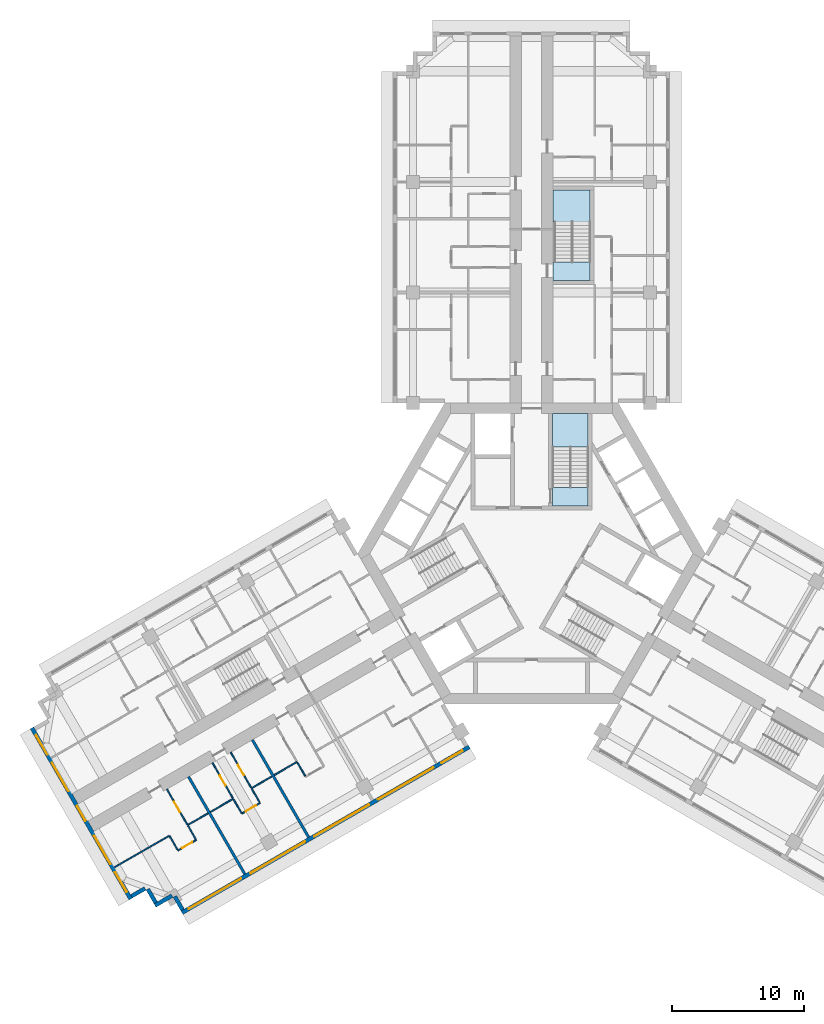
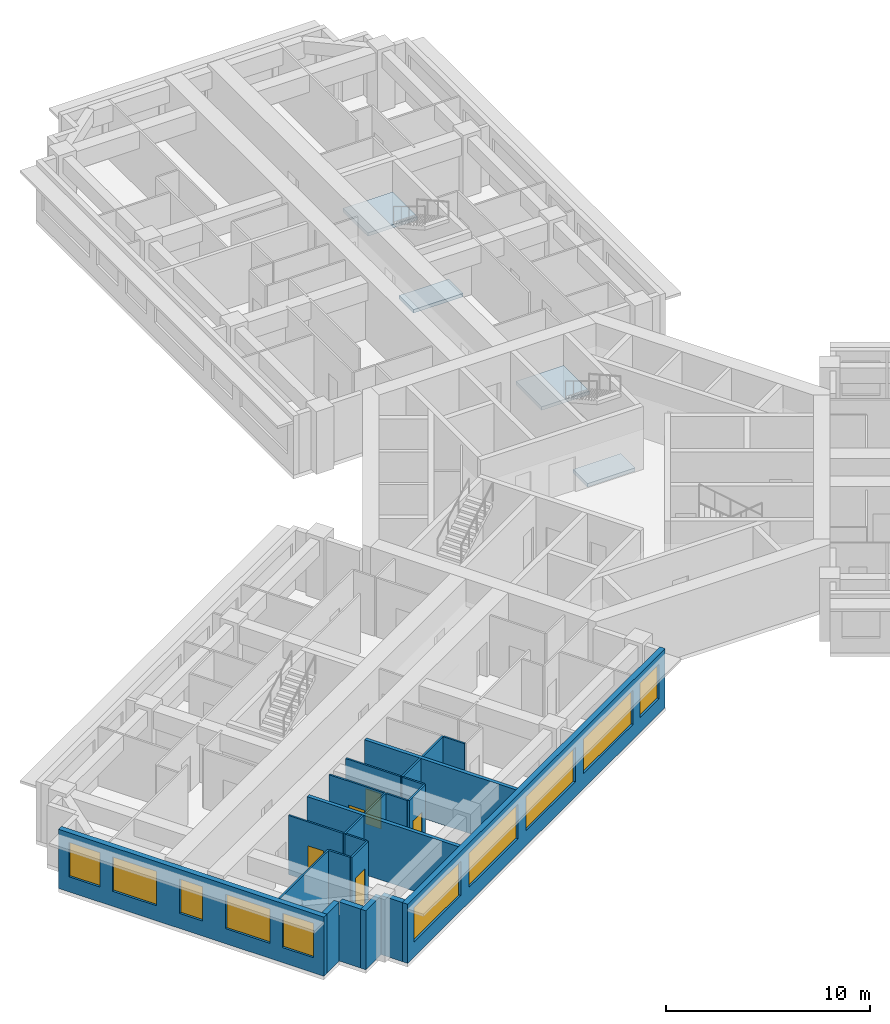
# One storey, part 2 of 13: 23 walls, 10 windows, 5 doors, 4 slabs, 15 openings, 2 elements without a shape of their own.
"""IFC4 building model written with IfcOpenShell, lengths in metres."""

from ifc_helpers import new_model, si_unit, direction, frame, frame_2d, origin, place, context, subcontext, project, spatial, polyline, rectangle, outline, extrude, material, layer, layer_set, type_object, element, fill, aggregate, save


model = new_model("IFC4")

# Units and contexts
model_context = context("Model", 3, precision=1e-05, world=origin(), true_north=direction((0.0, 1.0)))
body_context = subcontext(model_context, "Body", "Model", "MODEL_VIEW")
ifc_project = project(units=[si_unit("LENGTHUNIT", "METRE"), si_unit("AREAUNIT", "SQUARE_METRE"), si_unit("VOLUMEUNIT", "CUBIC_METRE"), si_unit("PLANEANGLEUNIT", "RADIAN"), si_unit("MASSUNIT", "GRAM", prefix="KILO")], contexts=[model_context])

# Site, building, storey
site_placement = place(None, origin())
site = spatial("IfcSite", under=ifc_project, at=site_placement, CompositionType="ELEMENT")
building_placement = place(site_placement, origin())
building = spatial("IfcBuilding", under=site, at=building_placement, Name="Impinga Residences", CompositionType="ELEMENT")
storey_placement = place(building_placement, frame((0.0, 0.0, 136.0)))
storey = spatial("IfcBuildingStorey", under=building, at=storey_placement, Name="L33", CompositionType="ELEMENT", Elevation=136.0)

# Stair, slabs
ifc_material_1 = material(Name="Concrete C40/50", Category="concrete")
stair_type_1 = type_object("IfcStairType", Name="STR core stair 3750 storey, 24 risers", PredefinedType="HALF_TURN_STAIR", material=ifc_material_1)
stair_1_placement = place(storey_placement, origin())
stair_1 = element("IfcStair", 1, at=stair_1_placement, inside=storey, type_object=stair_type_1, Name="Stair ST1 L33", PredefinedType="HALF_TURN_STAIR")
ifc_layer_1 = layer(ifc_material_1, 0.199951171875)
ifc_layer_set_1 = layer_set([ifc_layer_1], Name="Concrete C40/50")
slab_type = type_object("IfcSlabType", Name="LS1 stair landing 200", PredefinedType="LANDING", material=ifc_layer_set_1)
slab_1_placement = place(storey_placement, frame((0.0, 0.0, -0.199951171875)))
slab_1 = element("IfcSlab", 2, at=slab_1_placement, type_object=slab_type, Name="ST1 landing 1", PredefinedType="LANDING", context=body_context, shape_type="SweptSolid", body=[
    extrude(outline(polyline([(1.60009765625, 3.6298828125), (4.300048828125, 3.6298828125), (4.300048828125, 5.0400390625), (1.60009765625, 5.0400390625), (1.60009765625, 3.6298828125)])), origin(), (0.0, 0.0, 1.0), 0.199951171875),
])
slab_2_placement = place(storey_placement, frame((0.0, 0.0, 1.675048828125)))
slab_2 = element("IfcSlab", 3, at=slab_2_placement, type_object=slab_type, Name="ST1 landing 2", PredefinedType="LANDING", context=body_context, shape_type="SweptSolid", body=[
    extrude(outline(polyline([(1.60009765625, 8.10009765625), (4.300048828125, 8.10009765625), (4.300048828125, 10.631591796875), (1.60009765625, 10.631591796875), (1.60009765625, 8.10009765625)])), origin(), (0.0, 0.0, 1.0), 0.199951171875),
])
aggregate(stair_1, [slab_1, slab_2])

stair_type_2 = type_object("IfcStairType", Name="STR wing stair 3750 storey, 24 risers", PredefinedType="HALF_TURN_STAIR", material=ifc_material_1)
stair_2_placement = place(storey_placement, origin())
stair_2 = element("IfcStair", 4, at=stair_2_placement, inside=storey, type_object=stair_type_2, Name="Stair WS1 L33", PredefinedType="HALF_TURN_STAIR")
slab_3_placement = place(storey_placement, frame((0.0, 0.0, -0.199951171875)))
slab_3 = element("IfcSlab", 5, at=slab_3_placement, type_object=slab_type, Name="WS1 landing 1", PredefinedType="LANDING", context=body_context, shape_type="SweptSolid", body=[
    extrude(outline(polyline([(1.64990234375, 20.7314453125), (4.449951171875, 20.7314453125), (4.449951171875, 22.1416015625), (1.64990234375, 22.1416015625), (1.64990234375, 20.7314453125)])), origin(), (0.0, 0.0, 1.0), 0.199951171875),
])
slab_4_placement = place(storey_placement, frame((0.0, 0.0, 1.675048828125)))
slab_4 = element("IfcSlab", 6, at=slab_4_placement, type_object=slab_type, Name="WS1 landing 2", PredefinedType="LANDING", context=body_context, shape_type="SweptSolid", body=[
    extrude(outline(polyline([(1.64990234375, 25.201416015625), (4.449951171875, 25.201416015625), (4.449951171875, 27.631591796875), (1.64990234375, 27.631591796875), (1.64990234375, 25.201416015625)])), origin(), (0.0, 0.0, 1.0), 0.199951171875),
])
aggregate(stair_2, [slab_3, slab_4])

# Wall, openings, windows
ifc_material_2 = material(Name="Terracotta rainscreen on blockwork", Category="masonry")
ifc_layer_2 = layer(ifc_material_2, 0.300048828125)
ifc_layer_set_2 = layer_set([ifc_layer_2], Name="EW1 external wall, terracotta rainscreen on blockwork 300")
wall_type_1 = type_object("IfcWallType", Name="EW1 external wall, terracotta rainscreen on blockwork 300", PredefinedType="SOLIDWALL", material=ifc_layer_set_2)
wall_1_placement = place(storey_placement, frame((-4.72509765625, -14.67919921875, 0.0), z_axis=(0.0, 0.0, 1.0), x_axis=(-0.866026832479, -0.499997525421, 0.0)))
wall_1 = element("IfcWall", 7, at=wall_1_placement, inside=storey, type_object=wall_type_1, Name="External wall EW1 L33", PredefinedType="SOLIDWALL", context=body_context, shape_type="SweptSolid", body=[
    extrude(rectangle(XDim=25.199951171875, YDim=0.300048828125, at=frame_2d((12.60009765625, 0.0))), origin(), (0.0, 0.0, 1.0), 3.530029296875),
])
opening_1_placement = place(wall_1_placement, frame((0.60009765625, 0.0, 0.89990234375)))
opening_1 = element("IfcOpeningElement", 8, at=opening_1_placement, cuts=wall_1, Name="Opening W15", PredefinedType="OPENING", context=body_context, shape_type="SweptSolid", body=[
    extrude(rectangle(XDim=1.85009765625, YDim=2.050048828125, at=frame_2d((0.925048828125, 1.02490234375))), frame((0.0, 0.159912109375, 0.0), z_axis=(0.0, -1.0, 0.0), x_axis=(1.0, 0.0, 0.0)), (0.0, 0.0, 1.0), 0.320068359375),
])
opening_2_placement = place(wall_1_placement, frame((3.14990234375, 0.0, 0.89990234375)))
opening_2 = element("IfcOpeningElement", 9, at=opening_2_placement, cuts=wall_1, Name="Opening W6", PredefinedType="OPENING", context=body_context, shape_type="SweptSolid", body=[
    extrude(rectangle(XDim=4.85009765625, YDim=2.050048828125, at=frame_2d((2.425048828125, 1.02490234375))), frame((0.0, 0.159912109375, 0.0), z_axis=(0.0, -1.0, 0.0), x_axis=(1.0, 0.0, 0.0)), (0.0, 0.0, 1.0), 0.320068359375),
])
opening_3_placement = place(wall_1_placement, frame((8.800048828125, 0.0, 0.89990234375)))
opening_3 = element("IfcOpeningElement", 10, at=opening_3_placement, cuts=wall_1, Name="Opening W8", PredefinedType="OPENING", context=body_context, shape_type="SweptSolid", body=[
    extrude(rectangle(XDim=4.800048828125, YDim=2.050048828125, at=frame_2d((2.39990234375, 1.02490234375))), frame((0.0, 0.159912109375, 0.0), z_axis=(0.0, -1.0, 0.0), x_axis=(1.0, 0.0, 0.0)), (0.0, 0.0, 1.0), 0.320068359375),
])
opening_4_placement = place(wall_1_placement, frame((14.39990234375, 0.0, 0.89990234375)))
opening_4 = element("IfcOpeningElement", 11, at=opening_4_placement, cuts=wall_1, Name="Opening W8", PredefinedType="OPENING", context=body_context, shape_type="SweptSolid", body=[
    extrude(rectangle(XDim=4.800048828125, YDim=2.050048828125, at=frame_2d((2.39990234375, 1.02490234375))), frame((0.0, 0.159912109375, 0.0), z_axis=(0.0, -1.0, 0.0), x_axis=(1.0, 0.0, 0.0)), (0.0, 0.0, 1.0), 0.320068359375),
])
opening_5_placement = place(wall_1_placement, frame((20.0, 0.0, 0.89990234375)))
opening_5 = element("IfcOpeningElement", 12, at=opening_5_placement, cuts=wall_1, Name="Opening W3", PredefinedType="OPENING", context=body_context, shape_type="SweptSolid", body=[
    extrude(rectangle(XDim=4.60009765625, YDim=2.050048828125, at=frame_2d((2.300048828125, 1.02490234375))), frame((0.0, 0.159912109375, 0.0), z_axis=(0.0, -1.0, 0.0), x_axis=(1.0, 0.0, 0.0)), (0.0, 0.0, 1.0), 0.320068359375),
])
ifc_material_3 = material(Name="Aluminium window, clear double glazing", Category="aluminium")
window_type_1 = type_object("IfcWindowType", Name="W15 ribbon window 1850x2050", PartitioningType="SINGLE_PANEL", PredefinedType="WINDOW", material=ifc_material_3)
window_1_placement = place(opening_1_placement, origin())
window_1 = element("IfcWindow", 13, at=window_1_placement, inside=storey, type_object=window_type_1, Name="Window L33", OverallHeight=2.050048828125, OverallWidth=1.85009765625, PartitioningType="SINGLE_PANEL", PredefinedType="WINDOW", context=body_context, shape_type="SweptSolid", body=[
    extrude(rectangle(XDim=1.85009765625, YDim=2.050048828125, at=frame_2d((0.925048828125, 1.02490234375))), frame((0.0, 0.030029296875, 0.0), z_axis=(0.0, -1.0, 0.0), x_axis=(1.0, 0.0, 0.0)), (0.0, 0.0, 1.0), 0.06005859375),
])
fill(opening_1, window_1)
window_type_2 = type_object("IfcWindowType", Name="W3 ribbon window 4600x2050", PartitioningType="SINGLE_PANEL", PredefinedType="WINDOW", material=ifc_material_3)
window_2_placement = place(opening_5_placement, origin())
window_2 = element("IfcWindow", 14, at=window_2_placement, inside=storey, type_object=window_type_2, Name="Window L33", OverallHeight=2.050048828125, OverallWidth=4.60009765625, PartitioningType="SINGLE_PANEL", PredefinedType="WINDOW", context=body_context, shape_type="SweptSolid", body=[
    extrude(rectangle(XDim=4.60009765625, YDim=2.050048828125, at=frame_2d((2.300048828125, 1.02490234375))), frame((0.0, 0.030029296875, 0.0), z_axis=(0.0, -1.0, 0.0), x_axis=(1.0, 0.0, 0.0)), (0.0, 0.0, 1.0), 0.06005859375),
])
fill(opening_5, window_2)
window_type_3 = type_object("IfcWindowType", Name="W6 ribbon window 4850x2050", PartitioningType="SINGLE_PANEL", PredefinedType="WINDOW", material=ifc_material_3)
window_3_placement = place(opening_2_placement, origin())
window_3 = element("IfcWindow", 15, at=window_3_placement, inside=storey, type_object=window_type_3, Name="Window L33", OverallHeight=2.050048828125, OverallWidth=4.85009765625, PartitioningType="SINGLE_PANEL", PredefinedType="WINDOW", context=body_context, shape_type="SweptSolid", body=[
    extrude(rectangle(XDim=4.85009765625, YDim=2.050048828125, at=frame_2d((2.425048828125, 1.02490234375))), frame((0.0, 0.030029296875, 0.0), z_axis=(0.0, -1.0, 0.0), x_axis=(1.0, 0.0, 0.0)), (0.0, 0.0, 1.0), 0.06005859375),
])
fill(opening_2, window_3)
window_type_4 = type_object("IfcWindowType", Name="W8 ribbon window 4800x2050", PartitioningType="SINGLE_PANEL", PredefinedType="WINDOW", material=ifc_material_3)
window_4_placement = place(opening_3_placement, origin())
window_4 = element("IfcWindow", 16, at=window_4_placement, inside=storey, type_object=window_type_4, Name="Window L33", OverallHeight=2.050048828125, OverallWidth=4.800048828125, PartitioningType="SINGLE_PANEL", PredefinedType="WINDOW", context=body_context, shape_type="SweptSolid", body=[
    extrude(rectangle(XDim=4.800048828125, YDim=2.050048828125, at=frame_2d((2.39990234375, 1.02490234375))), frame((0.0, 0.030029296875, 0.0), z_axis=(0.0, -1.0, 0.0), x_axis=(1.0, 0.0, 0.0)), (0.0, 0.0, 1.0), 0.06005859375),
])
fill(opening_3, window_4)
window_5_placement = place(opening_4_placement, origin())
window_5 = element("IfcWindow", 17, at=window_5_placement, inside=storey, type_object=window_type_4, Name="Window L33", OverallHeight=2.050048828125, OverallWidth=4.800048828125, PartitioningType="SINGLE_PANEL", PredefinedType="WINDOW", context=body_context, shape_type="SweptSolid", body=[
    extrude(rectangle(XDim=4.800048828125, YDim=2.050048828125, at=frame_2d((2.39990234375, 1.02490234375))), frame((0.0, 0.030029296875, 0.0), z_axis=(0.0, -1.0, 0.0), x_axis=(1.0, 0.0, 0.0)), (0.0, 0.0, 1.0), 0.06005859375),
])
fill(opening_4, window_5)

# Walls
wall_2_placement = place(storey_placement, frame((-26.493896484375, -27.07421875, 0.0), z_axis=(0.0, 0.0, 1.0), x_axis=(-0.500033551112, 0.866006032174, 0.0)))
element("IfcWall", 18, at=wall_2_placement, inside=storey, type_object=wall_type_1, Name="External wall EW1 L33", PredefinedType="SOLIDWALL", context=body_context, shape_type="SweptSolid", body=[
    extrude(rectangle(XDim=1.2001953125, YDim=0.300048828125, at=frame_2d((0.60009765625, 0.0))), origin(), (0.0, 0.0, 1.0), 3.530029296875),
])
wall_3_placement = place(storey_placement, frame((-27.30322265625, -25.982666015625, 0.0), z_axis=(0.0, 0.0, 1.0), x_axis=(-0.866074087889, -0.499915667175, 0.0)))
element("IfcWall", 19, at=wall_3_placement, inside=storey, type_object=wall_type_1, Name="External wall EW1 L33", PredefinedType="SOLIDWALL", context=body_context, shape_type="SweptSolid", body=[
    extrude(rectangle(XDim=1.494873046875, YDim=0.300048828125, at=frame_2d((0.74755859375, 0.0))), origin(), (0.0, 0.0, 1.0), 3.530029296875),
])
wall_4_placement = place(storey_placement, frame((-28.54296875, -26.525146484375, 0.0), z_axis=(0.0, 0.0, 1.0), x_axis=(-0.500033551112, 0.866006032174, 0.0)))
element("IfcWall", 20, at=wall_4_placement, inside=storey, type_object=wall_type_1, Name="External wall EW1 L33", PredefinedType="SOLIDWALL", context=body_context, shape_type="SweptSolid", body=[
    extrude(rectangle(XDim=1.2001953125, YDim=0.300048828125, at=frame_2d((0.60009765625, 0.0))), origin(), (0.0, 0.0, 1.0), 3.530029296875),
])
wall_5_placement = place(storey_placement, frame((-29.352294921875, -25.43359375, 0.0), z_axis=(0.0, 0.0, 1.0), x_axis=(-0.866059708757, -0.499940577336, 0.0)))
element("IfcWall", 21, at=wall_5_placement, inside=storey, type_object=wall_type_1, Name="External wall EW1 L33", PredefinedType="SOLIDWALL", context=body_context, shape_type="SweptSolid", body=[
    extrude(rectangle(XDim=1.195068359375, YDim=0.300048828125, at=frame_2d((0.59765625, 0.0))), origin(), (0.0, 0.0, 1.0), 3.530029296875),
])

# Wall, openings, windows
wall_6_placement = place(storey_placement, frame((-30.44189453125, -26.23583984375, 0.0), z_axis=(0.0, 0.0, 1.0), x_axis=(-0.500004234368, 0.866022959057, 0.0)))
wall_6 = element("IfcWall", 22, at=wall_6_placement, inside=storey, type_object=wall_type_1, Name="External wall EW1 L33", PredefinedType="SOLIDWALL", context=body_context, shape_type="SweptSolid", body=[
    extrude(rectangle(XDim=14.999755859375, YDim=0.300048828125, at=frame_2d((7.5, 0.0))), origin(), (0.0, 0.0, 1.0), 3.530029296875),
])
opening_6_placement = place(wall_6_placement, frame((0.60009765625, 0.0, 0.89990234375)))
opening_6 = element("IfcOpeningElement", 23, at=opening_6_placement, cuts=wall_6, Name="Opening W1", PredefinedType="OPENING", context=body_context, shape_type="SweptSolid", body=[
    extrude(rectangle(XDim=1.75, YDim=2.050048828125, at=frame_2d((0.875, 1.02490234375))), frame((0.0, 0.159912109375, 0.0), z_axis=(0.0, -1.0, 0.0), x_axis=(1.0, 0.0, 0.0)), (0.0, 0.0, 1.0), 0.320068359375),
])
opening_7_placement = place(wall_6_placement, frame((3.050048828125, 0.0, 0.89990234375)))
opening_7 = element("IfcOpeningElement", 24, at=opening_7_placement, cuts=wall_6, Name="Opening W2", PredefinedType="OPENING", context=body_context, shape_type="SweptSolid", body=[
    extrude(rectangle(XDim=2.5, YDim=2.050048828125, at=frame_2d((1.25, 1.02490234375))), frame((0.0, 0.159912109375, 0.0), z_axis=(0.0, -1.0, 0.0), x_axis=(1.0, 0.0, 0.0)), (0.0, 0.0, 1.0), 0.320068359375),
])
opening_8_placement = place(wall_6_placement, frame((6.85009765625, 0.0, 0.89990234375)))
opening_8 = element("IfcOpeningElement", 25, at=opening_8_placement, cuts=wall_6, Name="Opening WE1", PredefinedType="OPENING", context=body_context, shape_type="SweptSolid", body=[
    extrude(rectangle(XDim=1.300048828125, YDim=2.050048828125, at=frame_2d((0.64990234375, 1.02490234375))), frame((0.0, 0.159912109375, 0.0), z_axis=(0.0, -1.0, 0.0), x_axis=(1.0, 0.0, 0.0)), (0.0, 0.0, 1.0), 0.320068359375),
])
opening_9_placement = place(wall_6_placement, frame((9.449951171875, 0.0, 0.89990234375)))
opening_9 = element("IfcOpeningElement", 26, at=opening_9_placement, cuts=wall_6, Name="Opening W2", PredefinedType="OPENING", context=body_context, shape_type="SweptSolid", body=[
    extrude(rectangle(XDim=2.5, YDim=2.050048828125, at=frame_2d((1.25, 1.02490234375))), frame((0.0, 0.159912109375, 0.0), z_axis=(0.0, -1.0, 0.0), x_axis=(1.0, 0.0, 0.0)), (0.0, 0.0, 1.0), 0.320068359375),
])
opening_10_placement = place(wall_6_placement, frame((12.64990234375, 0.0, 0.89990234375)))
opening_10 = element("IfcOpeningElement", 27, at=opening_10_placement, cuts=wall_6, Name="Opening W1", PredefinedType="OPENING", context=body_context, shape_type="SweptSolid", body=[
    extrude(rectangle(XDim=1.75, YDim=2.050048828125, at=frame_2d((0.875, 1.02490234375))), frame((0.0, 0.159912109375, 0.0), z_axis=(0.0, -1.0, 0.0), x_axis=(1.0, 0.0, 0.0)), (0.0, 0.0, 1.0), 0.320068359375),
])
window_type_5 = type_object("IfcWindowType", Name="W1 ribbon window 1750x2050", PartitioningType="SINGLE_PANEL", PredefinedType="WINDOW", material=ifc_material_3)
window_6_placement = place(opening_6_placement, origin())
window_6 = element("IfcWindow", 28, at=window_6_placement, inside=storey, type_object=window_type_5, Name="Window L33", OverallHeight=2.050048828125, OverallWidth=1.75, PartitioningType="SINGLE_PANEL", PredefinedType="WINDOW", context=body_context, shape_type="SweptSolid", body=[
    extrude(rectangle(XDim=1.75, YDim=2.050048828125, at=frame_2d((0.875, 1.02490234375))), frame((0.0, 0.030029296875, 0.0), z_axis=(0.0, -1.0, 0.0), x_axis=(1.0, 0.0, 0.0)), (0.0, 0.0, 1.0), 0.06005859375),
])
fill(opening_6, window_6)
window_7_placement = place(opening_10_placement, origin())
window_7 = element("IfcWindow", 29, at=window_7_placement, inside=storey, type_object=window_type_5, Name="Window L33", OverallHeight=2.050048828125, OverallWidth=1.75, PartitioningType="SINGLE_PANEL", PredefinedType="WINDOW", context=body_context, shape_type="SweptSolid", body=[
    extrude(rectangle(XDim=1.75, YDim=2.050048828125, at=frame_2d((0.875, 1.02490234375))), frame((0.0, 0.030029296875, 0.0), z_axis=(0.0, -1.0, 0.0), x_axis=(1.0, 0.0, 0.0)), (0.0, 0.0, 1.0), 0.06005859375),
])
fill(opening_10, window_7)
window_type_6 = type_object("IfcWindowType", Name="W2 ribbon window 2500x2050", PartitioningType="SINGLE_PANEL", PredefinedType="WINDOW", material=ifc_material_3)
window_8_placement = place(opening_7_placement, origin())
window_8 = element("IfcWindow", 30, at=window_8_placement, inside=storey, type_object=window_type_6, Name="Window L33", OverallHeight=2.050048828125, OverallWidth=2.5, PartitioningType="SINGLE_PANEL", PredefinedType="WINDOW", context=body_context, shape_type="SweptSolid", body=[
    extrude(rectangle(XDim=2.5, YDim=2.050048828125, at=frame_2d((1.25, 1.02490234375))), frame((0.0, 0.030029296875, 0.0), z_axis=(0.0, -1.0, 0.0), x_axis=(1.0, 0.0, 0.0)), (0.0, 0.0, 1.0), 0.06005859375),
])
fill(opening_7, window_8)
window_9_placement = place(opening_9_placement, origin())
window_9 = element("IfcWindow", 31, at=window_9_placement, inside=storey, type_object=window_type_6, Name="Window L33", OverallHeight=2.050048828125, OverallWidth=2.5, PartitioningType="SINGLE_PANEL", PredefinedType="WINDOW", context=body_context, shape_type="SweptSolid", body=[
    extrude(rectangle(XDim=2.5, YDim=2.050048828125, at=frame_2d((1.25, 1.02490234375))), frame((0.0, 0.030029296875, 0.0), z_axis=(0.0, -1.0, 0.0), x_axis=(1.0, 0.0, 0.0)), (0.0, 0.0, 1.0), 0.06005859375),
])
fill(opening_9, window_9)
window_type_7 = type_object("IfcWindowType", Name="WE1 corridor window 1300x2050", PartitioningType="SINGLE_PANEL", PredefinedType="WINDOW", material=ifc_material_3)
window_10_placement = place(opening_8_placement, origin())
window_10 = element("IfcWindow", 32, at=window_10_placement, inside=storey, type_object=window_type_7, Name="Window L33", OverallHeight=2.050048828125, OverallWidth=1.300048828125, PartitioningType="SINGLE_PANEL", PredefinedType="WINDOW", context=body_context, shape_type="SweptSolid", body=[
    extrude(rectangle(XDim=1.300048828125, YDim=2.050048828125, at=frame_2d((0.64990234375, 1.02490234375))), frame((0.0, 0.030029296875, 0.0), z_axis=(0.0, -1.0, 0.0), x_axis=(1.0, 0.0, 0.0)), (0.0, 0.0, 1.0), 0.06005859375),
])
fill(opening_8, window_10)

# Walls
ifc_material_4 = material(Name="Gypsum board on steel studs", Category="steel")
ifc_layer_3 = layer(ifc_material_4, 0.10009765625)
ifc_layer_set_3 = layer_set([ifc_layer_3], Name="Gypsum board on steel studs")
wall_type_2 = type_object("IfcWallType", Name="IP1 partition 100", PredefinedType="PARTITIONING", material=ifc_layer_set_3)
wall_7_placement = place(storey_placement, frame((-17.8056640625, -15.82275390625, 0.0), z_axis=(0.0, 0.0, 1.0), x_axis=(-0.866041268327, -0.499972520799, 0.0)))
element("IfcWall", 33, at=wall_7_placement, inside=storey, type_object=wall_type_2, Name="Partition L33-WA2:DIV1", PredefinedType="PARTITIONING", context=body_context, shape_type="SweptSolid", body=[
    extrude(rectangle(XDim=2.0, YDim=0.10009765625, at=frame_2d((1.0, 0.0))), origin(), (0.0, 0.0, 1.0), 3.530029296875),
])
wall_8_placement = place(storey_placement, frame((-17.78076171875, -15.865966796875, 0.0), z_axis=(0.0, 0.0, 1.0), x_axis=(0.500033551112, -0.866006032174, 0.0)))
element("IfcWall", 34, at=wall_8_placement, inside=storey, type_object=wall_type_2, Name="Partition L33-WA2:SE1", PredefinedType="PARTITIONING", context=body_context, shape_type="SweptSolid", body=[
    extrude(rectangle(XDim=1.2001953125, YDim=0.10009765625, at=frame_2d((0.60009765625, 0.0))), origin(), (0.0, 0.0, 1.0), 3.530029296875),
])
wall_9_placement = place(storey_placement, frame((-19.7109375, -16.922607421875, 0.0), z_axis=(0.0, 0.0, 1.0), x_axis=(-0.865989075817, -0.500062916607, 0.0)))
element("IfcWall", 35, at=wall_9_placement, inside=storey, type_object=wall_type_2, Name="Partition L33-WA3:DIV0", PredefinedType="PARTITIONING", context=body_context, shape_type="SweptSolid", body=[
    extrude(rectangle(XDim=1.800048828125, YDim=0.10009765625, at=frame_2d((0.89990234375, 0.0))), origin(), (0.0, 0.0, 1.0), 3.530029296875),
])
wall_10_placement = place(storey_placement, frame((-22.655517578125, -18.622802734375, 0.0), z_axis=(0.0, 0.0, 1.0), x_axis=(-0.866010750942, -0.50002537861, 0.0)))
element("IfcWall", 36, at=wall_10_placement, inside=storey, type_object=wall_type_2, Name="Partition L33-WA3:DIV1", PredefinedType="PARTITIONING", context=body_context, shape_type="SweptSolid", body=[
    extrude(rectangle(XDim=2.0, YDim=0.10009765625, at=frame_2d((1.0, 0.0))), origin(), (0.0, 0.0, 1.0), 3.530029296875),
])

# Wall, opening, door
wall_11_placement = place(storey_placement, frame((-20.619873046875, -18.948486328125, 0.0), z_axis=(0.0, 0.0, 1.0), x_axis=(-0.865989903783, -0.500061482766, 0.0)))
wall_11 = element("IfcWall", 37, at=wall_11_placement, inside=storey, type_object=wall_type_2, Name="Partition L33-WA3:STRIP", PredefinedType="PARTITIONING", context=body_context, shape_type="SweptSolid", body=[
    extrude(rectangle(XDim=1.599853515625, YDim=0.10009765625, at=frame_2d((0.7998046875, 0.0))), origin(), (0.0, 0.0, 1.0), 3.530029296875),
])
opening_11_placement = place(wall_11_placement, frame((0.35009765625, 0.0, 0.0)))
opening_11 = element("IfcOpeningElement", 38, at=opening_11_placement, cuts=wall_11, Name="Opening D2", PredefinedType="OPENING", context=body_context, shape_type="SweptSolid", body=[
    extrude(rectangle(XDim=0.89990234375, YDim=2.10009765625, at=frame_2d((0.449951171875, 1.050048828125))), frame((0.0, 0.06005859375, 0.0), z_axis=(0.0, -1.0, 0.0), x_axis=(1.0, 0.0, 0.0)), (0.0, 0.0, 1.0), 0.1201171875),
])
ifc_material_5 = material(Name="Timber door set", Category="wood")
door_type = type_object("IfcDoorType", Name="D2 internal door 900x2100", OperationType="SINGLE_SWING_LEFT", PredefinedType="DOOR", material=ifc_material_5)
door_1_placement = place(opening_11_placement, origin())
door_1 = element("IfcDoor", 39, at=door_1_placement, inside=storey, type_object=door_type, Name="Apartment L33-WA3 room door", OperationType="SINGLE_SWING_LEFT", OverallHeight=2.10009765625, OverallWidth=0.89990234375, PredefinedType="DOOR", context=body_context, shape_type="SweptSolid", body=[
    extrude(rectangle(XDim=0.89990234375, YDim=2.10009765625, at=frame_2d((0.449951171875, 1.050048828125))), frame((0.0, 0.02490234375, 0.0), z_axis=(0.0, -1.0, 0.0), x_axis=(1.0, 0.0, 0.0)), (0.0, 0.0, 1.0), 0.050048828125),
])
fill(opening_11, door_1)

# Walls
wall_12_placement = place(storey_placement, frame((-21.244873046875, -17.865966796875, 0.0), z_axis=(0.0, 0.0, 1.0), x_axis=(0.500033551112, -0.866006032174, 0.0)))
element("IfcWall", 40, at=wall_12_placement, inside=storey, type_object=wall_type_2, Name="Partition L33-WA3:SE0", PredefinedType="PARTITIONING", context=body_context, shape_type="SweptSolid", body=[
    extrude(rectangle(XDim=1.2001953125, YDim=0.10009765625, at=frame_2d((0.60009765625, 0.0))), origin(), (0.0, 0.0, 1.0), 3.530029296875),
])
wall_13_placement = place(storey_placement, frame((-22.63037109375, -18.666015625, 0.0), z_axis=(0.0, 0.0, 1.0), x_axis=(0.499880961361, -0.866094119867, 0.0)))
element("IfcWall", 41, at=wall_13_placement, inside=storey, type_object=wall_type_2, Name="Partition L33-WA3:SE1", PredefinedType="PARTITIONING", context=body_context, shape_type="SweptSolid", body=[
    extrude(rectangle(XDim=1.199951171875, YDim=0.10009765625, at=frame_2d((0.60009765625, 0.0))), origin(), (0.0, 0.0, 1.0), 3.530029296875),
])

# Wall, opening, door
wall_14_placement = place(storey_placement, frame((-22.8447265625, -15.0947265625, 0.0), z_axis=(0.0, 0.0, 1.0), x_axis=(0.499967891604, -0.866043940782, 0.0)))
wall_14 = element("IfcWall", 42, at=wall_14_placement, inside=storey, type_object=wall_type_2, Name="Partition L33-WA3:IB1", PredefinedType="PARTITIONING", context=body_context, shape_type="SweptSolid", body=[
    extrude(rectangle(XDim=3.099853515625, YDim=0.10009765625, at=frame_2d((1.5498046875, 0.0))), origin(), (0.0, 0.0, 1.0), 3.530029296875),
])
opening_12_placement = place(wall_14_placement, frame((1.10009765625, 0.0, 0.0)))
opening_12 = element("IfcOpeningElement", 43, at=opening_12_placement, cuts=wall_14, Name="Opening D2", PredefinedType="OPENING", context=body_context, shape_type="SweptSolid", body=[
    extrude(rectangle(XDim=0.89990234375, YDim=2.10009765625, at=frame_2d((0.449951171875, 1.050048828125))), frame((0.0, 0.06005859375, 0.0), z_axis=(0.0, -1.0, 0.0), x_axis=(1.0, 0.0, 0.0)), (0.0, 0.0, 1.0), 0.1201171875),
])
door_2_placement = place(opening_12_placement, origin())
door_2 = element("IfcDoor", 44, at=door_2_placement, inside=storey, type_object=door_type, Name="Apartment L33-WA3 bathroom door", OperationType="SINGLE_SWING_LEFT", OverallHeight=2.10009765625, OverallWidth=0.89990234375, PredefinedType="DOOR", context=body_context, shape_type="SweptSolid", body=[
    extrude(rectangle(XDim=0.89990234375, YDim=2.10009765625, at=frame_2d((0.449951171875, 1.050048828125))), frame((0.0, 0.02490234375, 0.0), z_axis=(0.0, -1.0, 0.0), x_axis=(1.0, 0.0, 0.0)), (0.0, 0.0, 1.0), 0.050048828125),
])
fill(opening_12, door_2)

wall_15_placement = place(storey_placement, frame((-24.23046875, -15.894775390625, 0.0), z_axis=(0.0, 0.0, 1.0), x_axis=(0.500026960575, -0.86600983753, 0.0)))
wall_15 = element("IfcWall", 45, at=wall_15_placement, inside=storey, type_object=wall_type_2, Name="Partition L33-WA3:IB2", PredefinedType="PARTITIONING", context=body_context, shape_type="SweptSolid", body=[
    extrude(rectangle(XDim=3.099853515625, YDim=0.10009765625, at=frame_2d((1.5498046875, 0.0))), origin(), (0.0, 0.0, 1.0), 3.530029296875),
])
opening_13_placement = place(wall_15_placement, frame((1.10009765625, 0.0, 0.0)))
opening_13 = element("IfcOpeningElement", 46, at=opening_13_placement, cuts=wall_15, Name="Opening D2", PredefinedType="OPENING", context=body_context, shape_type="SweptSolid", body=[
    extrude(rectangle(XDim=0.89990234375, YDim=2.10009765625, at=frame_2d((0.449951171875, 1.050048828125))), frame((0.0, 0.06005859375, 0.0), z_axis=(0.0, -1.0, 0.0), x_axis=(1.0, 0.0, 0.0)), (0.0, 0.0, 1.0), 0.1201171875),
])
door_3_placement = place(opening_13_placement, origin())
door_3 = element("IfcDoor", 47, at=door_3_placement, inside=storey, type_object=door_type, Name="Apartment L33-WA3 WC door", OperationType="SINGLE_SWING_LEFT", OverallHeight=2.10009765625, OverallWidth=0.89990234375, PredefinedType="DOOR", context=body_context, shape_type="SweptSolid", body=[
    extrude(rectangle(XDim=0.89990234375, YDim=2.10009765625, at=frame_2d((0.449951171875, 1.050048828125))), frame((0.0, 0.02490234375, 0.0), z_axis=(0.0, -1.0, 0.0), x_axis=(1.0, 0.0, 0.0)), (0.0, 0.0, 1.0), 0.050048828125),
])
fill(opening_13, door_3)

# Walls
wall_16_placement = place(storey_placement, frame((-24.560791015625, -19.72265625, 0.0), z_axis=(0.0, 0.0, 1.0), x_axis=(-0.865989075817, -0.500062916607, 0.0)))
element("IfcWall", 48, at=wall_16_placement, inside=storey, type_object=wall_type_2, Name="Partition L33-WA4:DIV0", PredefinedType="PARTITIONING", context=body_context, shape_type="SweptSolid", body=[
    extrude(rectangle(XDim=1.800048828125, YDim=0.10009765625, at=frame_2d((0.89990234375, 0.0))), origin(), (0.0, 0.0, 1.0), 3.530029296875),
])
wall_17_placement = place(storey_placement, frame((-27.505126953125, -21.422607421875, 0.0), z_axis=(0.0, 0.0, 1.0), x_axis=(-0.866015339567, -0.500017431331, 0.0)))
element("IfcWall", 49, at=wall_17_placement, inside=storey, type_object=wall_type_2, Name="Partition L33-WA4:DIV1", PredefinedType="PARTITIONING", context=body_context, shape_type="SweptSolid", body=[
    extrude(rectangle(XDim=4.800048828125, YDim=0.10009765625, at=frame_2d((2.39990234375, 0.0))), origin(), (0.0, 0.0, 1.0), 3.530029296875),
])

# Wall, opening, door
wall_18_placement = place(storey_placement, frame((-25.469482421875, -21.74853515625, 0.0), z_axis=(0.0, 0.0, 1.0), x_axis=(-0.866028054938, -0.499995408039, 0.0)))
wall_18 = element("IfcWall", 50, at=wall_18_placement, inside=storey, type_object=wall_type_2, Name="Partition L33-WA4:STRIP", PredefinedType="PARTITIONING", context=body_context, shape_type="SweptSolid", body=[
    extrude(rectangle(XDim=1.60009765625, YDim=0.10009765625, at=frame_2d((0.800048828125, 0.0))), origin(), (0.0, 0.0, 1.0), 3.530029296875),
])
opening_14_placement = place(wall_18_placement, frame((0.35009765625, 0.0, 0.0)))
opening_14 = element("IfcOpeningElement", 51, at=opening_14_placement, cuts=wall_18, Name="Opening D2", PredefinedType="OPENING", context=body_context, shape_type="SweptSolid", body=[
    extrude(rectangle(XDim=0.89990234375, YDim=2.10009765625, at=frame_2d((0.449951171875, 1.050048828125))), frame((0.0, 0.06005859375, 0.0), z_axis=(0.0, -1.0, 0.0), x_axis=(1.0, 0.0, 0.0)), (0.0, 0.0, 1.0), 0.1201171875),
])
door_4_placement = place(opening_14_placement, origin())
door_4 = element("IfcDoor", 52, at=door_4_placement, inside=storey, type_object=door_type, Name="Apartment L33-WA4 room door", OperationType="SINGLE_SWING_LEFT", OverallHeight=2.10009765625, OverallWidth=0.89990234375, PredefinedType="DOOR", context=body_context, shape_type="SweptSolid", body=[
    extrude(rectangle(XDim=0.89990234375, YDim=2.10009765625, at=frame_2d((0.449951171875, 1.050048828125))), frame((0.0, 0.02490234375, 0.0), z_axis=(0.0, -1.0, 0.0), x_axis=(1.0, 0.0, 0.0)), (0.0, 0.0, 1.0), 0.050048828125),
])
fill(opening_14, door_4)

# Walls
for number, where, z_axis, x_axis, name in (
    (53, (-26.094482421875, -20.666015625, 0.0), (0.0, 0.0, 1.0), (0.499880961361, -0.866094119867, 0.0), "Partition L33-WA4:SE0"),
    (54, (-27.480224609375, -21.466064453125, 0.0), (0.0, 0.0, 1.0), (0.50012165622, -0.865955154139, 0.0), "Partition L33-WA4:SE1"),
):
    element("IfcWall", number, at=place(storey_placement, frame(where, z_axis=z_axis, x_axis=x_axis)), inside=storey, type_object=wall_type_2, Name=name, PredefinedType="PARTITIONING", context=body_context, shape_type="SweptSolid", body=[
        extrude(rectangle(XDim=1.199951171875, YDim=0.10009765625, at=frame_2d((0.60009765625, 0.0))), origin(), (0.0, 0.0, 1.0), 3.530029296875),
    ])

# Wall, opening, door
wall_19_placement = place(storey_placement, frame((-27.694580078125, -17.894775390625, 0.0), z_axis=(0.0, 0.0, 1.0), x_axis=(0.500026960575, -0.86600983753, 0.0)))
wall_19 = element("IfcWall", 55, at=wall_19_placement, inside=storey, type_object=wall_type_2, Name="Partition L33-WA4:IB1", PredefinedType="PARTITIONING", context=body_context, shape_type="SweptSolid", body=[
    extrude(rectangle(XDim=3.099853515625, YDim=0.10009765625, at=frame_2d((1.5498046875, 0.0))), origin(), (0.0, 0.0, 1.0), 3.530029296875),
])
opening_15_placement = place(wall_19_placement, frame((1.10009765625, 0.0, 0.0)))
opening_15 = element("IfcOpeningElement", 56, at=opening_15_placement, cuts=wall_19, Name="Opening D2", PredefinedType="OPENING", context=body_context, shape_type="SweptSolid", body=[
    extrude(rectangle(XDim=0.89990234375, YDim=2.10009765625, at=frame_2d((0.449951171875, 1.050048828125))), frame((0.0, 0.06005859375, 0.0), z_axis=(0.0, -1.0, 0.0), x_axis=(1.0, 0.0, 0.0)), (0.0, 0.0, 1.0), 0.1201171875),
])
door_5_placement = place(opening_15_placement, origin())
door_5 = element("IfcDoor", 57, at=door_5_placement, inside=storey, type_object=door_type, Name="Apartment L33-WA4 bathroom door", OperationType="SINGLE_SWING_LEFT", OverallHeight=2.10009765625, OverallWidth=0.89990234375, PredefinedType="DOOR", context=body_context, shape_type="SweptSolid", body=[
    extrude(rectangle(XDim=0.89990234375, YDim=2.10009765625, at=frame_2d((0.449951171875, 1.050048828125))), frame((0.0, 0.02490234375, 0.0), z_axis=(0.0, -1.0, 0.0), x_axis=(1.0, 0.0, 0.0)), (0.0, 0.0, 1.0), 0.050048828125),
])
fill(opening_15, door_5)

# Walls
ifc_material_6 = material(Name="Concrete blockwork", Category="masonry")
ifc_layer_4 = layer(ifc_material_6, 0.199951171875)
ifc_layer_set_4 = layer_set([ifc_layer_4], Name="PW1 party wall between apartments 200")
wall_type_3 = type_object("IfcWallType", Name="PW1 party wall between apartments 200", PredefinedType="SOLIDWALL", material=ifc_layer_set_4)
wall_20_placement = place(storey_placement, frame((-21.199462890625, -14.144775390625, 0.0), z_axis=(0.0, 0.0, 1.0), x_axis=(0.500011643316, -0.866018681408, 0.0)))
element("IfcWall", 58, at=wall_20_placement, inside=storey, type_object=wall_type_3, Name="Party wall between apartments L33-WA2:PARTY", PredefinedType="SOLIDWALL", context=body_context, shape_type="SweptSolid", body=[
    extrude(rectangle(XDim=8.550048828125, YDim=0.199951171875, at=frame_2d((4.27490234375, 0.0))), origin(), (0.0, 0.0, 1.0), 3.530029296875),
])
wall_21_placement = place(storey_placement, frame((-26.049072265625, -16.94482421875, 0.0), z_axis=(0.0, 0.0, 1.0), x_axis=(0.500002592159, -0.866023907196, 0.0)))
element("IfcWall", 59, at=wall_21_placement, inside=storey, type_object=wall_type_3, Name="Party wall between apartments L33-WA3:PARTY", PredefinedType="SOLIDWALL", context=body_context, shape_type="SweptSolid", body=[
    extrude(rectangle(XDim=8.5498046875, YDim=0.199951171875, at=frame_2d((4.27490234375, 0.0))), origin(), (0.0, 0.0, 1.0), 3.530029296875),
])

save(model, "model.ifc")
